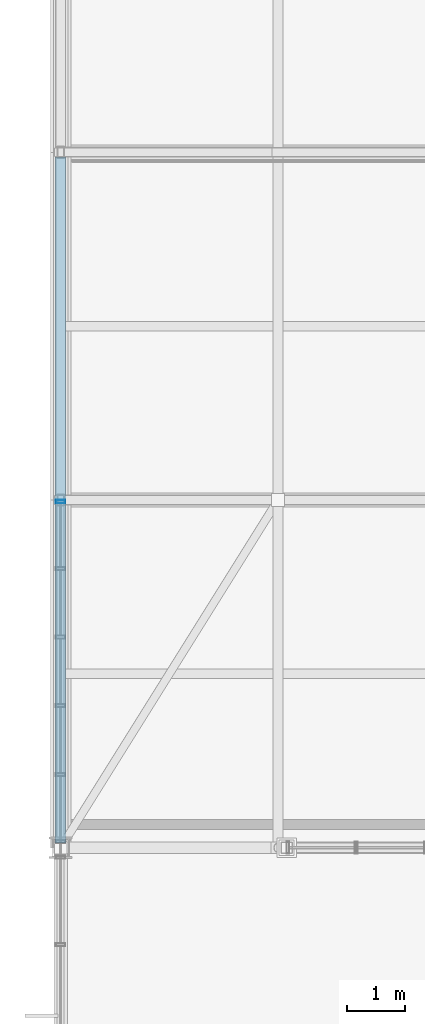
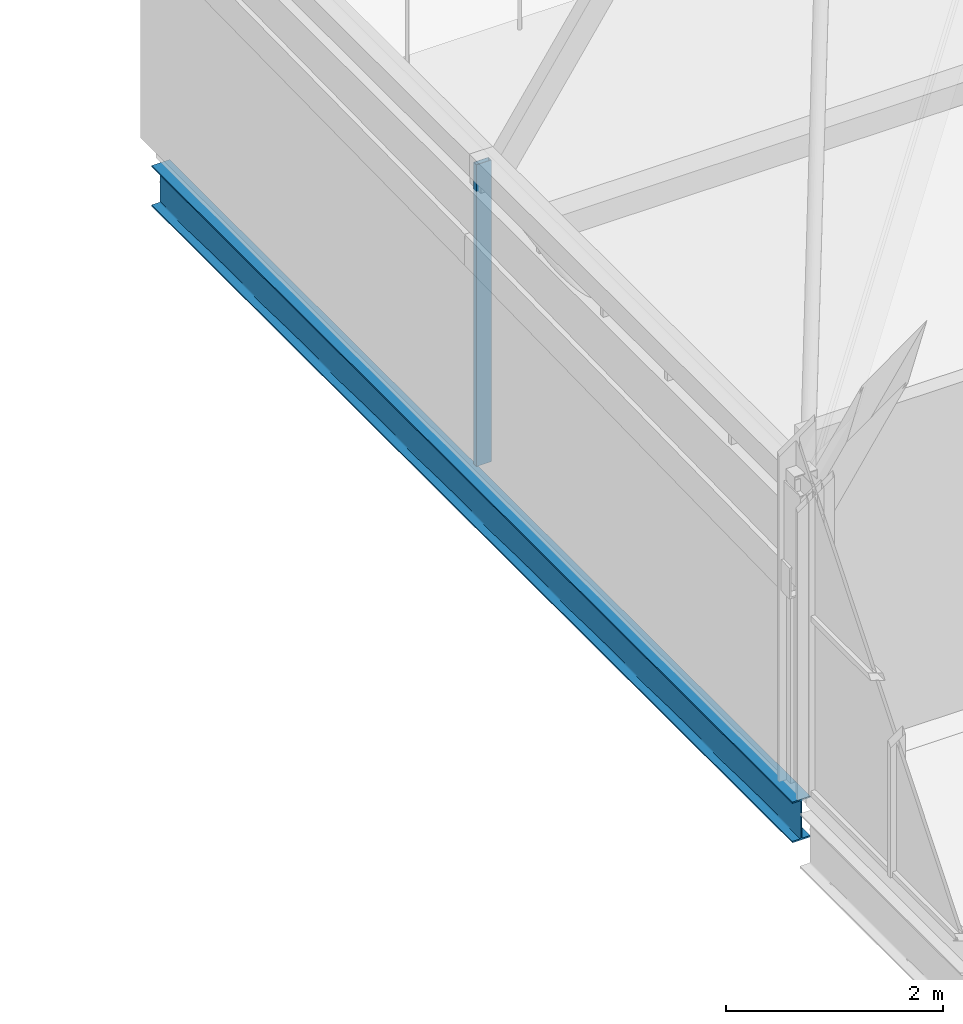
# One storey, part 85 of 324: 1 beam, 1 member, 1 element without a shape of its own.
"""IFC4 building model written with IfcOpenShell, lengths in metres."""

from ifc_helpers import new_model, si_unit, direction, frame, origin, origin_2d, place, context, subcontext, project, spatial, hollow_rectangle, i_section, extrude, material, layer, layer_set, material_profile, profile_set, type_object, element, aggregate, save


model = new_model("IFC4")

# Units and contexts
model_context = context("Model", 3, precision=1e-05, world=origin(), true_north=direction((0.0, 1.0)))
body_context = subcontext(model_context, "Body", "Model", "MODEL_VIEW")
ifc_project = project(units=[si_unit("LENGTHUNIT", "METRE"), si_unit("AREAUNIT", "SQUARE_METRE"), si_unit("VOLUMEUNIT", "CUBIC_METRE"), si_unit("PLANEANGLEUNIT", "RADIAN"), si_unit("MASSUNIT", "GRAM", prefix="KILO")], contexts=[model_context])

# Site, building, storey
site_placement = place(None, origin())
site = spatial("IfcSite", under=ifc_project, at=site_placement, CompositionType="ELEMENT")
building_placement = place(site_placement, origin())
building = spatial("IfcBuilding", under=site, at=building_placement, Name="Solvenia Promenade Tram Depot", CompositionType="ELEMENT")
storey_placement = place(building_placement, frame((0.0, 0.0, 4.5)))
storey = spatial("IfcBuildingStorey", under=building, at=storey_placement, Name="L01", CompositionType="ELEMENT", Elevation=4.5)

# Beam
ifc_material_1 = material(Name="Structural steel ASTM A992 Gr. 50", Category="steel")
ifc_material_profile_1 = material_profile(ifc_material_1, i_section(OverallWidth=0.19091796875, OverallDepth=0.4599609375, WebThickness=0.010009765625, FlangeThickness=0.01611328125, FilletRadius=0.012939453125, at=origin_2d()), Name="W460x82", Category="steel")
ifc_profile_set_1 = profile_set([ifc_material_profile_1], Name="Structural steel ASTM A992 Gr. 50")
beam_type = type_object("IfcBeamType", Name="Beam-W460x82", PredefinedType="BEAM", material=ifc_profile_set_1)
beam_placement = place(storey_placement, frame((0.0, 66.0849609375, -0.449951171875), z_axis=(0.0, 1.0, 0.0), x_axis=(-1.0, 0.0, 0.0)))
element("IfcBeam", 1, at=beam_placement, inside=storey, type_object=beam_type, Name="Transverse Girder BM-L01-0041", PredefinedType="BEAM", context=body_context, shape_type="SweptSolid", body=[
    extrude(i_section(OverallWidth=0.19091796875, OverallDepth=0.4599609375, WebThickness=0.010009765625, FlangeThickness=0.01611328125, FilletRadius=0.012939453125, at=origin_2d()), origin(), (0.0, 0.0, 1.0), 11.830078125),
])

# Curtain wall, member
ifc_material_2 = material(Name="Anodized aluminium AW-6063 T6", Category="aluminium")
ifc_layer = layer(ifc_material_2, 0.159912109375, Name="Anodized aluminium AW-6063 T6", Category="aluminium")
ifc_layer_set = layer_set([ifc_layer], Name="Anodized aluminium AW-6063 T6")
curtain_wall_type = type_object("IfcCurtainWallType", Name="CW-Channel-1200", PredefinedType="NOTDEFINED", material=ifc_layer_set)
curtain_wall_placement = place(storey_placement, origin())
curtain_wall = element("IfcCurtainWall", 2, at=curtain_wall_placement, inside=storey, type_object=curtain_wall_type, Name="Curtain Wall CW-V1W-01", PredefinedType="NOTDEFINED")
ifc_material_profile_2 = material_profile(ifc_material_2, hollow_rectangle(XDim=0.159912109375, YDim=0.052001953125, WallThickness=0.00390625, at=origin_2d()), Name="ALU-M1", Category="aluminium")
ifc_profile_set_2 = profile_set([ifc_material_profile_2], Name="Anodized aluminium AW-6063 T6")
member_type = type_object("IfcMemberType", Name="CWM-Mullion-1", PredefinedType="MULLION", material=ifc_profile_set_2)
member_placement = place(storey_placement, frame((0.0, 71.97412109375, 0.0), z_axis=(0.0, 0.0, 1.0), x_axis=(-1.0, 0.0, 0.0)))
member = element("IfcMember", 3, at=member_placement, type_object=member_type, Name="CW-1 mullion 6", PredefinedType="MULLION", context=body_context, shape_type="SweptSolid", body=[
    extrude(hollow_rectangle(XDim=0.159912109375, YDim=0.052001953125, WallThickness=0.00390625, at=origin_2d()), origin(), (0.0, 0.0, 1.0), 3.39990234375),
])
aggregate(curtain_wall, [member])

save(model, "model.ifc")
